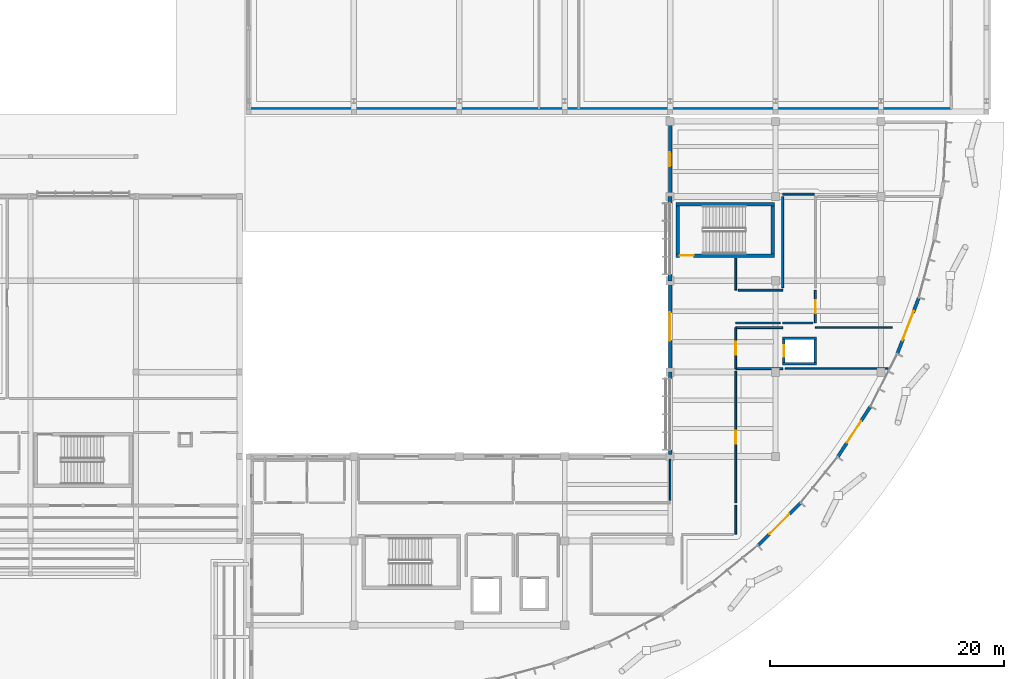
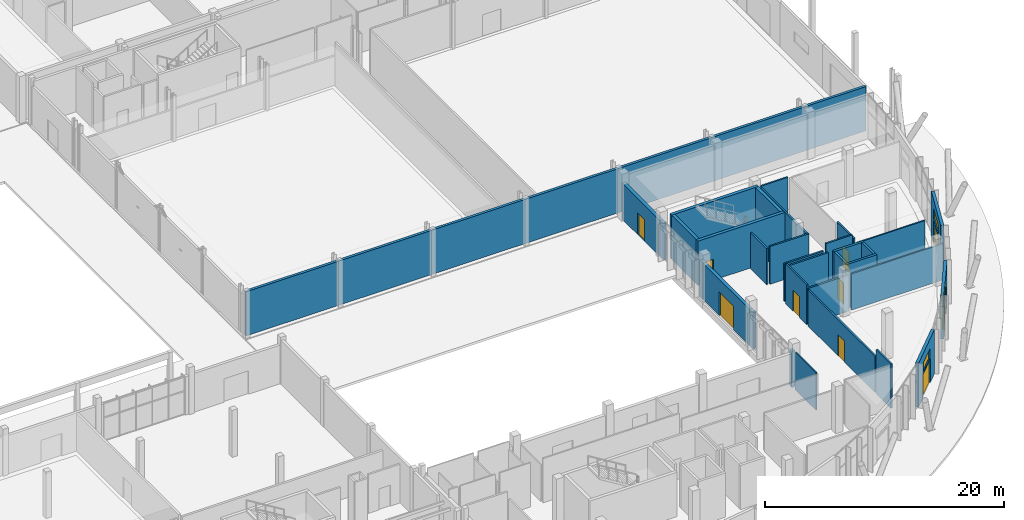
# One storey, part 127 of 151: 33 walls, 10 doors, 3 windows, 13 openings.
"""IFC4 building model written with IfcOpenShell, lengths in metres."""

from ifc_helpers import new_model, si_unit, direction, frame, frame_2d, origin, place, context, subcontext, project, spatial, rectangle, extrude, material, layer, layer_set, type_object, element, fill, save


model = new_model("IFC4")

# Units and contexts
model_context = context("Model", 3, precision=1e-05, world=origin(), true_north=direction((0.0, 1.0)))
body_context = subcontext(model_context, "Body", "Model", "MODEL_VIEW")
ifc_project = project(units=[si_unit("LENGTHUNIT", "METRE"), si_unit("AREAUNIT", "SQUARE_METRE"), si_unit("VOLUMEUNIT", "CUBIC_METRE"), si_unit("PLANEANGLEUNIT", "RADIAN"), si_unit("MASSUNIT", "GRAM", prefix="KILO")], contexts=[model_context])

# Site, building, storey
site_placement = place(None, origin())
site = spatial("IfcSite", under=ifc_project, at=site_placement, CompositionType="ELEMENT")
building_placement = place(site_placement, origin())
building = spatial("IfcBuilding", under=site, at=building_placement, Name="Chiffa Square Polytechnic", CompositionType="ELEMENT")
storey_placement = place(building_placement, origin())
storey = spatial("IfcBuildingStorey", under=building, at=storey_placement, Name="L00", CompositionType="ELEMENT", Elevation=0.0)

# Wall, opening, door
ifc_material_1 = material(Name="Concrete C40/50", Category="concrete")
ifc_layer_1 = layer(ifc_material_1, 0.300048828125, Name="Concrete C40/50")
ifc_layer_set_1 = layer_set([ifc_layer_1], Name="Concrete C40/50")
wall_type_1 = type_object("IfcWallType", Name="WL-CORE-300", PredefinedType="SHEAR", material=ifc_layer_set_1)
wall_1_placement = place(storey_placement, frame((148.699951171875, 45.949951171875, 0.0), z_axis=(0.0, 0.0, 1.0), x_axis=(1.0, 0.0, 0.0)))
wall_1 = element("IfcWall", 1, at=wall_1_placement, inside=storey, type_object=wall_type_1, Name="Core or enclosure wall WC-CORE-V1B-L00-SOUTH", PredefinedType="SHEAR", context=body_context, shape_type="SweptSolid", body=[
    extrude(rectangle(XDim=8.400146484375, YDim=0.300048828125, at=frame_2d((4.2001953125, 0.0))), origin(), (0.0, 0.0, 1.0), 4.52001953125),
])
opening_1_placement = place(wall_1_placement, frame((0.300048828125, 0.0, 0.0)))
opening_1 = element("IfcOpeningElement", 2, at=opening_1_placement, cuts=wall_1, Name="Opening DS-L00-010", PredefinedType="OPENING", context=body_context, shape_type="SweptSolid", body=[
    extrude(rectangle(XDim=1.199951171875, YDim=2.14990234375, at=frame_2d((0.60009765625, 1.074951171875))), frame((0.0, 0.16015625, 0.0), z_axis=(0.0, -1.0, 0.0), x_axis=(1.0, 0.0, 0.0)), (0.0, 0.0, 1.0), 0.320068359375),
])
ifc_material_2 = material(Name="Fire-rated painted steel leaf", Category="steel")
door_type_1 = type_object("IfcDoorType", Name="DR-STAIR-1200", OperationType="NOTDEFINED", PredefinedType="DOOR", material=ifc_material_2)
door_1_placement = place(opening_1_placement, origin())
door_1 = element("IfcDoor", 3, at=door_1_placement, inside=storey, type_object=door_type_1, Name="Enclosure door DS-L00-010", OperationType="SINGLE_SWING_RIGHT", OverallHeight=2.14990234375, OverallWidth=1.199951171875, PredefinedType="DOOR", context=body_context, shape_type="SweptSolid", body=[
    extrude(rectangle(XDim=1.199951171875, YDim=2.14990234375, at=frame_2d((0.60009765625, 1.074951171875))), frame((0.0, 0.02490234375, 0.0), z_axis=(0.0, -1.0, 0.0), x_axis=(1.0, 0.0, 0.0)), (0.0, 0.0, 1.0), 0.050048828125),
])
fill(opening_1, door_1)

# Walls
wall_2_placement = place(storey_placement, frame((148.699951171875, 50.35009765625, 0.0), z_axis=(0.0, 0.0, 1.0), x_axis=(1.0, 0.0, 0.0)))
element("IfcWall", 4, at=wall_2_placement, inside=storey, type_object=wall_type_1, Name="Core or enclosure wall WC-CORE-V1B-L00-NORTH", PredefinedType="SHEAR", context=body_context, shape_type="SweptSolid", body=[
    extrude(rectangle(XDim=8.400146484375, YDim=0.300048828125, at=frame_2d((4.2001953125, 0.0))), origin(), (0.0, 0.0, 1.0), 4.52001953125),
])
for number, where, z_axis, x_axis, name in (
    (5, (148.85009765625, 46.10009765625, 0.0), (0.0, 0.0, 1.0), (0.0, 1.0, 0.0), "Core or enclosure wall WC-CORE-V1B-L00-WEST"),
    (6, (156.949951171875, 46.10009765625, 0.0), (0.0, 0.0, 1.0), (0.0, 1.0, 0.0), "Core or enclosure wall WC-CORE-V1B-L00-EAST"),
):
    element("IfcWall", number, at=place(storey_placement, frame(where, z_axis=z_axis, x_axis=x_axis)), inside=storey, type_object=wall_type_1, Name=name, PredefinedType="SHEAR", context=body_context, shape_type="SweptSolid", body=[
        extrude(rectangle(XDim=4.099853515625, YDim=0.300048828125, at=frame_2d((2.0498046875, 0.0))), origin(), (0.0, 0.0, 1.0), 4.52001953125),
    ])

# Wall, openings, door, window
ifc_material_3 = material(Name="Precast concrete C40/50", Category="concrete")
ifc_layer_2 = layer(ifc_material_3, 0.280029296875, Name="Precast concrete C40/50")
ifc_layer_set_2 = layer_set([ifc_layer_2], Name="Precast concrete C40/50")
wall_type_2 = type_object("IfcWallType", Name="WL-EXT-PC280", PredefinedType="SOLIDWALL", material=ifc_layer_set_2)
wall_3_placement = place(storey_placement, frame((155.719970703125, 21.23291015625, 0.0), z_axis=(0.0, 0.0, 1.0), x_axis=(0.707082784214, 0.707130777344, 0.0)))
wall_3 = element("IfcWall", 7, at=wall_3_placement, inside=storey, type_object=wall_type_2, Name="Chiffa Square portico entrance wall WE-V1-L00-PORTAL-09", PredefinedType="SOLIDWALL", context=body_context, shape_type="SweptSolid", body=[
    extrude(rectangle(XDim=5.0869140625, YDim=0.280029296875, at=frame_2d((2.54345703125, 0.0))), origin(), (0.0, 0.0, 1.0), 4.52001953125),
])
opening_2_placement = place(wall_3_placement, frame((1.343017578125, 0.0, 0.0)))
opening_2 = element("IfcOpeningElement", 8, at=opening_2_placement, cuts=wall_3, Name="Opening DE-L00-005", PredefinedType="OPENING", context=body_context, shape_type="SweptSolid", body=[
    extrude(rectangle(XDim=2.39990234375, YDim=2.39990234375, at=frame_2d((1.199951171875, 1.199951171875))), frame((0.0, 0.14990234375, 0.0), z_axis=(0.0, -1.0, 0.0), x_axis=(1.0, 0.0, 0.0)), (0.0, 0.0, 1.0), 0.300048828125),
])
opening_3_placement = place(wall_3_placement, frame((1.492919921875, 0.0, 2.580078125)))
opening_3 = element("IfcOpeningElement", 9, at=opening_3_placement, cuts=wall_3, Name="Opening WCL-04", PredefinedType="OPENING", context=body_context, shape_type="SweptSolid", body=[
    extrude(rectangle(XDim=2.10009765625, YDim=0.949951171875, at=frame_2d((1.050048828125, 0.47509765625))), frame((0.0, 0.14990234375, 0.0), z_axis=(0.0, -1.0, 0.0), x_axis=(1.0, 0.0, 0.0)), (0.0, 0.0, 1.0), 0.300048828125),
])
ifc_material_4 = material(Name="Aluminium and laminated safety glass", Category="aluminium")
door_type_2 = type_object("IfcDoorType", Name="DR-EXIT-DBL-2400", OperationType="DOUBLE_DOOR_SINGLE_SWING", PredefinedType="DOOR", material=ifc_material_4)
door_2_placement = place(opening_2_placement, origin())
door_2 = element("IfcDoor", 10, at=door_2_placement, inside=storey, type_object=door_type_2, Name="Faculty prow portico entrance door DE-L00-005", OperationType="DOUBLE_DOOR_SINGLE_SWING", OverallHeight=2.39990234375, OverallWidth=2.39990234375, PredefinedType="DOOR", context=body_context, shape_type="SweptSolid", body=[
    extrude(rectangle(XDim=2.39990234375, YDim=2.39990234375, at=frame_2d((1.199951171875, 1.199951171875))), frame((0.0, 0.02490234375, 0.0), z_axis=(0.0, -1.0, 0.0), x_axis=(1.0, 0.0, 0.0)), (0.0, 0.0, 1.0), 0.050048828125),
])
fill(opening_2, door_2)
ifc_material_5 = material(Name="Double glazing in thermally broken aluminium frame", Category="aluminium")
window_type_1 = type_object("IfcWindowType", Name="WIN-CLR-2100X0950", PartitioningType="DOUBLE_PANEL_VERTICAL", PredefinedType="WINDOW", material=ifc_material_5)
window_1_placement = place(opening_3_placement, origin())
window_1 = element("IfcWindow", 11, at=window_1_placement, inside=storey, type_object=window_type_1, Name="Entrance transom clerestory WN-L00-0005", OverallHeight=0.949951171875, OverallWidth=2.10009765625, PartitioningType="DOUBLE_PANEL_VERTICAL", PredefinedType="WINDOW", context=body_context, shape_type="SweptSolid", body=[
    extrude(rectangle(XDim=2.10009765625, YDim=0.949951171875, at=frame_2d((1.050048828125, 0.47509765625))), frame((0.0, 0.030029296875, 0.0), z_axis=(0.0, -1.0, 0.0), x_axis=(1.0, 0.0, 0.0)), (0.0, 0.0, 1.0), 0.06005859375),
])
fill(opening_3, window_1)

wall_4_placement = place(storey_placement, frame((162.51806640625, 28.783935546875, 0.0), z_axis=(0.0, 0.0, 1.0), x_axis=(0.544715042653, 0.838621203111, 0.0)))
wall_4 = element("IfcWall", 12, at=wall_4_placement, inside=storey, type_object=wall_type_2, Name="Chiffa Square portico entrance wall WE-V1-L00-PORTAL-11", PredefinedType="SOLIDWALL", context=body_context, shape_type="SweptSolid", body=[
    extrude(rectangle(XDim=5.087158203125, YDim=0.280029296875, at=frame_2d((2.54345703125, 0.0))), origin(), (0.0, 0.0, 1.0), 4.52001953125),
])
opening_4_placement = place(wall_4_placement, frame((1.443115234375, 0.0, 0.0)))
opening_4 = element("IfcOpeningElement", 13, at=opening_4_placement, cuts=wall_4, Name="Opening DE-L00-006", PredefinedType="OPENING", context=body_context, shape_type="SweptSolid", body=[
    extrude(rectangle(XDim=2.199951171875, YDim=2.35009765625, at=frame_2d((1.10009765625, 1.175048828125))), frame((0.0, 0.14990234375, 0.0), z_axis=(0.0, -1.0, 0.0), x_axis=(1.0, 0.0, 0.0)), (0.0, 0.0, 1.0), 0.300048828125),
])
opening_5_placement = place(wall_4_placement, frame((1.79296875, 0.0, 2.530029296875)))
opening_5 = element("IfcOpeningElement", 14, at=opening_5_placement, cuts=wall_4, Name="Opening WCL-06", PredefinedType="OPENING", context=body_context, shape_type="SweptSolid", body=[
    extrude(rectangle(XDim=1.5, YDim=0.85009765625, at=frame_2d((0.75, 0.425048828125))), frame((0.0, 0.14990234375, 0.0), z_axis=(0.0, -1.0, 0.0), x_axis=(1.0, 0.0, 0.0)), (0.0, 0.0, 1.0), 0.300048828125),
])
door_type_3 = type_object("IfcDoorType", Name="DR-EXIT-DBL-2200", OperationType="DOUBLE_DOOR_SINGLE_SWING", PredefinedType="DOOR", material=ifc_material_4)
door_3_placement = place(opening_4_placement, origin())
door_3 = element("IfcDoor", 15, at=door_3_placement, inside=storey, type_object=door_type_3, Name="Faculty prow portico entrance door DE-L00-006", OperationType="DOUBLE_DOOR_SINGLE_SWING", OverallHeight=2.35009765625, OverallWidth=2.199951171875, PredefinedType="DOOR", context=body_context, shape_type="SweptSolid", body=[
    extrude(rectangle(XDim=2.199951171875, YDim=2.35009765625, at=frame_2d((1.10009765625, 1.175048828125))), frame((0.0, 0.02490234375, 0.0), z_axis=(0.0, -1.0, 0.0), x_axis=(1.0, 0.0, 0.0)), (0.0, 0.0, 1.0), 0.050048828125),
])
fill(opening_4, door_3)
window_type_2 = type_object("IfcWindowType", Name="WIN-CLR-1500X0850", PartitioningType="DOUBLE_PANEL_VERTICAL", PredefinedType="WINDOW", material=ifc_material_5)
window_2_placement = place(opening_5_placement, origin())
window_2 = element("IfcWindow", 16, at=window_2_placement, inside=storey, type_object=window_type_2, Name="Entrance transom clerestory WN-L00-0006", OverallHeight=0.85009765625, OverallWidth=1.5, PartitioningType="DOUBLE_PANEL_VERTICAL", PredefinedType="WINDOW", context=body_context, shape_type="SweptSolid", body=[
    extrude(rectangle(XDim=1.5, YDim=0.85009765625, at=frame_2d((0.75, 0.425048828125))), frame((0.0, 0.030029296875, 0.0), z_axis=(0.0, -1.0, 0.0), x_axis=(1.0, 0.0, 0.0)), (0.0, 0.0, 1.0), 0.06005859375),
])
fill(opening_5, window_2)

wall_5_placement = place(storey_placement, frame((167.597900390625, 37.5830078125, 0.0), z_axis=(0.0, 0.0, 1.0), x_axis=(0.358371161708, 0.933579193457, 0.0)))
wall_5 = element("IfcWall", 17, at=wall_5_placement, inside=storey, type_object=wall_type_2, Name="Chiffa Square portico entrance wall WE-V1-L00-PORTAL-13", PredefinedType="SOLIDWALL", context=body_context, shape_type="SweptSolid", body=[
    extrude(rectangle(XDim=5.0869140625, YDim=0.280029296875, at=frame_2d((2.54345703125, 0.0))), origin(), (0.0, 0.0, 1.0), 4.52001953125),
])
opening_6_placement = place(wall_5_placement, frame((1.343017578125, 0.0, 0.0)))
opening_6 = element("IfcOpeningElement", 18, at=opening_6_placement, cuts=wall_5, Name="Opening DE-L00-007", PredefinedType="OPENING", context=body_context, shape_type="SweptSolid", body=[
    extrude(rectangle(XDim=2.39990234375, YDim=2.39990234375, at=frame_2d((1.199951171875, 1.199951171875))), frame((0.0, 0.14990234375, 0.0), z_axis=(0.0, -1.0, 0.0), x_axis=(1.0, 0.0, 0.0)), (0.0, 0.0, 1.0), 0.300048828125),
])
opening_7_placement = place(wall_5_placement, frame((1.193115234375, 0.0, 2.580078125)))
opening_7 = element("IfcOpeningElement", 19, at=opening_7_placement, cuts=wall_5, Name="Opening WCL-02", PredefinedType="OPENING", context=body_context, shape_type="SweptSolid", body=[
    extrude(rectangle(XDim=2.699951171875, YDim=1.050048828125, at=frame_2d((1.35009765625, 0.52490234375))), frame((0.0, 0.14990234375, 0.0), z_axis=(0.0, -1.0, 0.0), x_axis=(1.0, 0.0, 0.0)), (0.0, 0.0, 1.0), 0.300048828125),
])
door_4_placement = place(opening_6_placement, origin())
door_4 = element("IfcDoor", 20, at=door_4_placement, inside=storey, type_object=door_type_2, Name="Faculty prow portico entrance door DE-L00-007", OperationType="DOUBLE_DOOR_SINGLE_SWING", OverallHeight=2.39990234375, OverallWidth=2.39990234375, PredefinedType="DOOR", context=body_context, shape_type="SweptSolid", body=[
    extrude(rectangle(XDim=2.39990234375, YDim=2.39990234375, at=frame_2d((1.199951171875, 1.199951171875))), frame((0.0, 0.02490234375, 0.0), z_axis=(0.0, -1.0, 0.0), x_axis=(1.0, 0.0, 0.0)), (0.0, 0.0, 1.0), 0.050048828125),
])
fill(opening_6, door_4)
window_type_3 = type_object("IfcWindowType", Name="WIN-CLR-2700X1050", PartitioningType="DOUBLE_PANEL_VERTICAL", PredefinedType="WINDOW", material=ifc_material_5)
window_3_placement = place(opening_7_placement, origin())
window_3 = element("IfcWindow", 21, at=window_3_placement, inside=storey, type_object=window_type_3, Name="Entrance transom clerestory WN-L00-0007", OverallHeight=1.050048828125, OverallWidth=2.699951171875, PartitioningType="DOUBLE_PANEL_VERTICAL", PredefinedType="WINDOW", context=body_context, shape_type="SweptSolid", body=[
    extrude(rectangle(XDim=2.699951171875, YDim=1.050048828125, at=frame_2d((1.35009765625, 0.52490234375))), frame((0.0, 0.030029296875, 0.0), z_axis=(0.0, -1.0, 0.0), x_axis=(1.0, 0.0, 0.0)), (0.0, 0.0, 1.0), 0.06005859375),
])
fill(opening_7, window_3)

# Wall, opening, door
ifc_layer_3 = layer(ifc_material_3, 0.300048828125, Name="Precast concrete C40/50")
ifc_layer_set_3 = layer_set([ifc_layer_3], Name="Precast concrete C40/50")
wall_type_3 = type_object("IfcWallType", Name="WL-EXT-PC300", PredefinedType="SOLIDWALL", material=ifc_layer_set_3)
wall_6_placement = place(storey_placement, frame((148.199951171875, 43.800048828125, 0.0), z_axis=(0.0, 0.0, 1.0), x_axis=(0.0, -1.0, 0.0)))
wall_6 = element("IfcWall", 22, at=wall_6_placement, inside=storey, type_object=wall_type_3, Name="Exterior wall WE-V1-L00-0012", PredefinedType="SOLIDWALL", context=body_context, shape_type="SweptSolid", body=[
    extrude(rectangle(XDim=7.800048828125, YDim=0.300048828125, at=frame_2d((3.89990234375, 0.0))), origin(), (0.0, 0.0, 1.0), 3.705078125),
])
opening_8_placement = place(wall_6_placement, frame((2.699951171875, 0.0, 0.0)))
opening_8 = element("IfcOpeningElement", 23, at=opening_8_placement, cuts=wall_6, Name="Opening DE-L00-010", PredefinedType="OPENING", context=body_context, shape_type="SweptSolid", body=[
    extrude(rectangle(XDim=2.39990234375, YDim=2.39990234375, at=frame_2d((1.199951171875, 1.199951171875))), frame((0.0, 0.16015625, 0.0), z_axis=(0.0, -1.0, 0.0), x_axis=(1.0, 0.0, 0.0)), (0.0, 0.0, 1.0), 0.320068359375),
])
door_5_placement = place(opening_8_placement, origin())
door_5 = element("IfcDoor", 24, at=door_5_placement, inside=storey, type_object=door_type_2, Name="Exterior door DE-L00-010", OperationType="DOUBLE_DOOR_SINGLE_SWING", OverallHeight=2.39990234375, OverallWidth=2.39990234375, PredefinedType="DOOR", context=body_context, shape_type="SweptSolid", body=[
    extrude(rectangle(XDim=2.39990234375, YDim=2.39990234375, at=frame_2d((1.199951171875, 1.199951171875))), frame((0.0, 0.02490234375, 0.0), z_axis=(0.0, -1.0, 0.0), x_axis=(1.0, 0.0, 0.0)), (0.0, 0.0, 1.0), 0.050048828125),
])
fill(opening_8, door_5)

ifc_layer_4 = layer(ifc_material_3, 0.320068359375, Name="Precast concrete C40/50")
ifc_layer_set_4 = layer_set([ifc_layer_4], Name="Precast concrete C40/50")
wall_type_4 = type_object("IfcWallType", Name="WL-EXT-PC320", PredefinedType="SOLIDWALL", material=ifc_layer_set_4)
wall_7_placement = place(storey_placement, frame((148.199951171875, 57.35009765625, 0.0), z_axis=(0.0, 0.0, 1.0), x_axis=(0.0, -1.0, 0.0)))
wall_7 = element("IfcWall", 25, at=wall_7_placement, inside=storey, type_object=wall_type_4, Name="Exterior wall WE-V1-L00-0010", PredefinedType="SOLIDWALL", context=body_context, shape_type="SweptSolid", body=[
    extrude(rectangle(XDim=6.35009765625, YDim=0.320068359375, at=frame_2d((3.175048828125, 0.0))), origin(), (0.0, 0.0, 1.0), 3.705078125),
])
opening_9_placement = place(wall_7_placement, frame((2.574951171875, 0.0, 0.0)))
opening_9 = element("IfcOpeningElement", 26, at=opening_9_placement, cuts=wall_7, Name="Opening DE-L00-009", PredefinedType="OPENING", context=body_context, shape_type="SweptSolid", body=[
    extrude(rectangle(XDim=1.199951171875, YDim=2.199951171875, at=frame_2d((0.60009765625, 1.10009765625))), frame((0.0, 0.169921875, 0.0), z_axis=(0.0, -1.0, 0.0), x_axis=(1.0, 0.0, 0.0)), (0.0, 0.0, 1.0), 0.340087890625),
])
ifc_material_6 = material(Name="Painted galvanized steel", Category="steel")
door_type_4 = type_object("IfcDoorType", Name="DR-EXT-SVC-1200", OperationType="NOTDEFINED", PredefinedType="DOOR", material=ifc_material_6)
door_6_placement = place(opening_9_placement, origin())
door_6 = element("IfcDoor", 27, at=door_6_placement, inside=storey, type_object=door_type_4, Name="Exterior door DE-L00-009", OperationType="SINGLE_SWING_LEFT", OverallHeight=2.199951171875, OverallWidth=1.199951171875, PredefinedType="DOOR", context=body_context, shape_type="SweptSolid", body=[
    extrude(rectangle(XDim=1.199951171875, YDim=2.199951171875, at=frame_2d((0.60009765625, 1.10009765625))), frame((0.0, 0.02490234375, 0.0), z_axis=(0.0, -1.0, 0.0), x_axis=(1.0, 0.0, 0.0)), (0.0, 0.0, 1.0), 0.050048828125),
])
fill(opening_9, door_6)

# Walls
wall_8_placement = place(storey_placement, frame((148.199951171875, 36.0, 0.0), z_axis=(0.0, 0.0, 1.0), x_axis=(0.0, -1.0, 0.0)))
element("IfcWall", 28, at=wall_8_placement, inside=storey, type_object=wall_type_4, Name="Facade column pier V1-L00-0013L", PredefinedType="SOLIDWALL", context=body_context, shape_type="SweptSolid", body=[
    extrude(rectangle(XDim=0.5400390625, YDim=0.320068359375, at=frame_2d((0.27001953125, 0.0))), origin(), (0.0, 0.0, 1.0), 3.705078125),
])
wall_9_placement = place(storey_placement, frame((148.199951171875, 29.340087890625, 0.0), z_axis=(0.0, 0.0, 1.0), x_axis=(0.0, -1.0, 0.0)))
element("IfcWall", 29, at=wall_9_placement, inside=storey, type_object=wall_type_4, Name="Facade column pier V1-L00-0013R", PredefinedType="SOLIDWALL", context=body_context, shape_type="SweptSolid", body=[
    extrude(rectangle(XDim=0.38818359375, YDim=0.320068359375, at=frame_2d((0.194091796875, 0.0))), origin(), (0.0, 0.0, 1.0), 3.705078125),
])
ifc_layer_5 = layer(ifc_material_3, 0.340087890625, Name="Precast concrete C40/50")
ifc_layer_set_5 = layer_set([ifc_layer_5], Name="Precast concrete C40/50")
wall_type_5 = type_object("IfcWallType", Name="WL-EXT-PC340", PredefinedType="SOLIDWALL", material=ifc_layer_set_5)
for number, where, z_axis, x_axis, name in (
    (30, (148.199951171875, 51.0, 0.0), (0.0, 0.0, 1.0), (0.0, -1.0, 0.0), "Facade column pier V1-L00-0011L"),
    (31, (148.199951171875, 44.340087890625, 0.0), (0.0, 0.0, 1.0), (0.0, -1.0, 0.0), "Facade column pier V1-L00-0011R"),
):
    element("IfcWall", number, at=place(storey_placement, frame(where, z_axis=z_axis, x_axis=x_axis)), inside=storey, type_object=wall_type_5, Name=name, PredefinedType="SOLIDWALL", context=body_context, shape_type="SweptSolid", body=[
        extrude(rectangle(XDim=0.5400390625, YDim=0.340087890625, at=frame_2d((0.27001953125, 0.0))), origin(), (0.0, 0.0, 1.0), 3.705078125),
    ])
ifc_material_7 = material(Name="Gypsum board on steel stud", Category="steel")
ifc_layer_6 = layer(ifc_material_7, 0.125, Name="Gypsum board on steel stud")
ifc_layer_set_6 = layer_set([ifc_layer_6], Name="Gypsum board on steel stud")
wall_type_6 = type_object("IfcWallType", Name="WL-PART-125", PredefinedType="PARTITIONING", material=ifc_layer_set_6)
wall_10_placement = place(storey_placement, frame((148.199951171875, 25.070068359375, 0.0), z_axis=(0.0, 0.0, 1.0), x_axis=(0.0, 1.0, 0.0)))
element("IfcWall", 32, at=wall_10_placement, inside=storey, type_object=wall_type_6, Name="Interior partition WP-V1-L00-0122", PredefinedType="PARTITIONING", context=body_context, shape_type="SweptSolid", body=[
    extrude(rectangle(XDim=3.489990234375, YDim=0.125, at=frame_2d((1.7451171875, 0.0))), origin(), (0.0, 0.0, 1.0), 3.85498046875),
])
ifc_layer_7 = layer(ifc_material_7, 0.135009765625, Name="Gypsum board on steel stud")
ifc_layer_set_7 = layer_set([ifc_layer_7], Name="Gypsum board on steel stud")
wall_type_7 = type_object("IfcWallType", Name="WL-PART-135", PredefinedType="PARTITIONING", material=ifc_layer_set_7)
wall_11_placement = place(storey_placement, frame((160.60009765625, 39.800048828125, 0.0), z_axis=(0.0, 0.0, 1.0), x_axis=(1.0, 0.0, 0.0)))
element("IfcWall", 33, at=wall_11_placement, inside=storey, type_object=wall_type_7, Name="Interior partition WP-V1-L00-0139", PredefinedType="PARTITIONING", context=body_context, shape_type="SweptSolid", body=[
    extrude(rectangle(XDim=6.56982421875, YDim=0.135009765625, at=frame_2d((3.284912109375, 0.0))), origin(), (0.0, 0.0, 1.0), 3.85498046875),
])
wall_12_placement = place(storey_placement, frame((158.0400390625, 36.300048828125, 0.0), z_axis=(0.0, 0.0, 1.0), x_axis=(1.0, 0.0, 0.0)))
element("IfcWall", 34, at=wall_12_placement, inside=storey, type_object=wall_type_7, Name="Interior partition WP-V1-L00-0148", PredefinedType="PARTITIONING", context=body_context, shape_type="SweptSolid", body=[
    extrude(rectangle(XDim=8.890869140625, YDim=0.135009765625, at=frame_2d((4.4453125, 0.0))), origin(), (0.0, 0.0, 1.0), 3.705078125),
])
ifc_material_8 = material(Name="Gypsum board on acoustic steel stud", Category="steel")
ifc_layer_8 = layer(ifc_material_8, 0.159912109375, Name="Gypsum board on acoustic steel stud")
ifc_layer_set_8 = layer_set([ifc_layer_8], Name="Gypsum board on acoustic steel stud")
wall_type_8 = type_object("IfcWallType", Name="WL-PART-EI60-160", PredefinedType="PARTITIONING", material=ifc_layer_set_8)
wall_13_placement = place(storey_placement, frame((153.800048828125, 36.300048828125, 0.0), z_axis=(0.0, 0.0, 1.0), x_axis=(1.0, 0.0, 0.0)))
element("IfcWall", 35, at=wall_13_placement, inside=storey, type_object=wall_type_8, Name="Lift lobby rated enclosure WP-LOB-LP-V1B-L00-SOUTH", PredefinedType="PARTITIONING", context=body_context, shape_type="SweptSolid", body=[
    extrude(rectangle(XDim=4.0, YDim=0.159912109375, at=frame_2d((2.0, 0.0))), origin(), (0.0, 0.0, 1.0), 3.705078125),
])
wall_14_placement = place(storey_placement, frame((153.800048828125, 39.800048828125, 0.0), z_axis=(0.0, 0.0, 1.0), x_axis=(1.0, 0.0, 0.0)))
element("IfcWall", 36, at=wall_14_placement, inside=storey, type_object=wall_type_8, Name="Lift lobby rated enclosure WP-LOB-LP-V1B-L00-NORTH", PredefinedType="PARTITIONING", context=body_context, shape_type="SweptSolid", body=[
    extrude(rectangle(XDim=4.0, YDim=0.159912109375, at=frame_2d((2.0, 0.0))), origin(), (0.0, 0.0, 1.0), 3.85498046875),
])

# Wall, opening, door
wall_15_placement = place(storey_placement, frame((153.800048828125, 36.300048828125, 0.0), z_axis=(0.0, 0.0, 1.0), x_axis=(0.0, 1.0, 0.0)))
wall_15 = element("IfcWall", 37, at=wall_15_placement, inside=storey, type_object=wall_type_8, Name="Lift lobby rated enclosure WP-LOB-LP-V1B-L00-WEST", PredefinedType="PARTITIONING", context=body_context, shape_type="SweptSolid", body=[
    extrude(rectangle(XDim=3.5, YDim=0.159912109375, at=frame_2d((1.75, 0.0))), origin(), (0.0, 0.0, 1.0), 4.06494140625),
])
opening_10_placement = place(wall_15_placement, frame((1.199951171875, 0.0, 0.0)))
opening_10 = element("IfcOpeningElement", 38, at=opening_10_placement, cuts=wall_15, Name="Opening DI-L00-018", PredefinedType="OPENING", context=body_context, shape_type="SweptSolid", body=[
    extrude(rectangle(XDim=1.10009765625, YDim=2.14990234375, at=frame_2d((0.550048828125, 1.074951171875))), frame((0.0, 0.08984375, 0.0), z_axis=(0.0, -1.0, 0.0), x_axis=(1.0, 0.0, 0.0)), (0.0, 0.0, 1.0), 0.179931640625),
])
ifc_material_9 = material(Name="Solid core ash veneer door")
door_type_5 = type_object("IfcDoorType", Name="DR-INT-1100", OperationType="NOTDEFINED", PredefinedType="DOOR", material=ifc_material_9)
door_7_placement = place(opening_10_placement, origin())
door_7 = element("IfcDoor", 39, at=door_7_placement, inside=storey, type_object=door_type_5, Name="Lift lobby fire door DI-L00-018", OperationType="SINGLE_SWING_LEFT", OverallHeight=2.14990234375, OverallWidth=1.10009765625, PredefinedType="DOOR", context=body_context, shape_type="SweptSolid", body=[
    extrude(rectangle(XDim=1.10009765625, YDim=2.14990234375, at=frame_2d((0.550048828125, 1.074951171875))), frame((0.0, 0.02490234375, 0.0), z_axis=(0.0, -1.0, 0.0), x_axis=(1.0, 0.0, 0.0)), (0.0, 0.0, 1.0), 0.050048828125),
])
fill(opening_10, door_7)

wall_16_placement = place(storey_placement, frame((160.60009765625, 40.199951171875, 0.0), z_axis=(0.0, 0.0, 1.0), x_axis=(0.0, 1.0, 0.0)))
wall_16 = element("IfcWall", 40, at=wall_16_placement, inside=storey, type_object=wall_type_8, Name="Interior partition WP-V1-L00-0136", PredefinedType="PARTITIONING", context=body_context, shape_type="SweptSolid", body=[
    extrude(rectangle(XDim=2.800048828125, YDim=0.159912109375, at=frame_2d((1.39990234375, 0.0))), origin(), (0.0, 0.0, 1.0), 4.06494140625),
])
opening_11_placement = place(wall_16_placement, frame((0.85009765625, 0.0, 0.0)))
opening_11 = element("IfcOpeningElement", 41, at=opening_11_placement, cuts=wall_16, Name="Opening DI-L00-088", PredefinedType="OPENING", context=body_context, shape_type="SweptSolid", body=[
    extrude(rectangle(XDim=1.10009765625, YDim=2.14990234375, at=frame_2d((0.550048828125, 1.074951171875))), frame((0.0, 0.08984375, 0.0), z_axis=(0.0, -1.0, 0.0), x_axis=(1.0, 0.0, 0.0)), (0.0, 0.0, 1.0), 0.179931640625),
])
door_8_placement = place(opening_11_placement, origin())
door_8 = element("IfcDoor", 42, at=door_8_placement, inside=storey, type_object=door_type_5, Name="Interior room door DI-L00-088", OperationType="SINGLE_SWING_LEFT", OverallHeight=2.14990234375, OverallWidth=1.10009765625, PredefinedType="DOOR", context=body_context, shape_type="SweptSolid", body=[
    extrude(rectangle(XDim=1.10009765625, YDim=2.14990234375, at=frame_2d((0.550048828125, 1.074951171875))), frame((0.0, 0.02490234375, 0.0), z_axis=(0.0, -1.0, 0.0), x_axis=(1.0, 0.0, 0.0)), (0.0, 0.0, 1.0), 0.050048828125),
])
fill(opening_11, door_8)

wall_17_placement = place(storey_placement, frame((153.800048828125, 24.85009765625, 0.0), z_axis=(0.0, 0.0, 1.0), x_axis=(0.0, 1.0, 0.0)))
wall_17 = element("IfcWall", 43, at=wall_17_placement, inside=storey, type_object=wall_type_8, Name="Interior partition WP-V1-L00-0145", PredefinedType="PARTITIONING", context=body_context, shape_type="SweptSolid", body=[
    extrude(rectangle(XDim=11.2099609375, YDim=0.159912109375, at=frame_2d((5.60498046875, 0.0))), origin(), (0.0, 0.0, 1.0), 3.705078125),
])
opening_12_placement = place(wall_17_placement, frame((5.054931640625, 0.0, 0.0)))
opening_12 = element("IfcOpeningElement", 44, at=opening_12_placement, cuts=wall_17, Name="Opening DI-L00-093", PredefinedType="OPENING", context=body_context, shape_type="SweptSolid", body=[
    extrude(rectangle(XDim=1.10009765625, YDim=2.14990234375, at=frame_2d((0.550048828125, 1.074951171875))), frame((0.0, 0.08984375, 0.0), z_axis=(0.0, -1.0, 0.0), x_axis=(1.0, 0.0, 0.0)), (0.0, 0.0, 1.0), 0.179931640625),
])
door_9_placement = place(opening_12_placement, origin())
door_9 = element("IfcDoor", 45, at=door_9_placement, inside=storey, type_object=door_type_5, Name="Interior room door DI-L00-093", OperationType="SINGLE_SWING_RIGHT", OverallHeight=2.14990234375, OverallWidth=1.10009765625, PredefinedType="DOOR", context=body_context, shape_type="SweptSolid", body=[
    extrude(rectangle(XDim=1.10009765625, YDim=2.14990234375, at=frame_2d((0.550048828125, 1.074951171875))), frame((0.0, 0.02490234375, 0.0), z_axis=(0.0, -1.0, 0.0), x_axis=(1.0, 0.0, 0.0)), (0.0, 0.0, 1.0), 0.050048828125),
])
fill(opening_12, door_9)

# Walls
wall_18_placement = place(storey_placement, frame((153.800048828125, 22.14990234375, 0.0), z_axis=(0.0, 0.0, 1.0), x_axis=(0.0, 1.0, 0.0)))
element("IfcWall", 46, at=wall_18_placement, inside=storey, type_object=wall_type_8, Name="Interior partition WP-V1-L00-0146", PredefinedType="PARTITIONING", context=body_context, shape_type="SweptSolid", body=[
    extrude(rectangle(XDim=2.47998046875, YDim=0.159912109375, at=frame_2d((1.239990234375, 0.0))), origin(), (0.0, 0.0, 1.0), 4.52001953125),
])
wall_19_placement = place(storey_placement, frame((157.800048828125, 51.199951171875, 0.0), z_axis=(0.0, 0.0, 1.0), x_axis=(1.0, 0.0, 0.0)))
element("IfcWall", 47, at=wall_19_placement, inside=storey, type_object=wall_type_8, Name="Interior partition WP-V1-L00-0150", PredefinedType="PARTITIONING", context=body_context, shape_type="SweptSolid", body=[
    extrude(rectangle(XDim=2.708984375, YDim=0.159912109375, at=frame_2d((1.3544921875, 0.0))), origin(), (0.0, 0.0, 1.0), 3.705078125),
])
wall_20_placement = place(storey_placement, frame((153.800048828125, 43.0, 0.0), z_axis=(0.0, 0.0, 1.0), x_axis=(0.0, 1.0, 0.0)))
element("IfcWall", 48, at=wall_20_placement, inside=storey, type_object=wall_type_8, Name="Interior partition WP-V1-L00-0196", PredefinedType="PARTITIONING", context=body_context, shape_type="SweptSolid", body=[
    extrude(rectangle(XDim=2.7099609375, YDim=0.159912109375, at=frame_2d((1.35498046875, 0.0))), origin(), (0.0, 0.0, 1.0), 3.705078125),
])
wall_21_placement = place(storey_placement, frame((154.02001953125, 43.0, 0.0), z_axis=(0.0, 0.0, 1.0), x_axis=(1.0, 0.0, 0.0)))
element("IfcWall", 49, at=wall_21_placement, inside=storey, type_object=wall_type_8, Name="Interior partition WP-V1-L00-0197", PredefinedType="PARTITIONING", context=body_context, shape_type="SweptSolid", body=[
    extrude(rectangle(XDim=3.780029296875, YDim=0.159912109375, at=frame_2d((1.89013671875, 0.0))), origin(), (0.0, 0.0, 1.0), 3.85498046875),
])
wall_22_placement = place(storey_placement, frame((157.800048828125, 43.219970703125, 0.0), z_axis=(0.0, 0.0, 1.0), x_axis=(0.0, 1.0, 0.0)))
element("IfcWall", 50, at=wall_22_placement, inside=storey, type_object=wall_type_8, Name="Interior partition WP-V1-L00-0198", PredefinedType="PARTITIONING", context=body_context, shape_type="SweptSolid", body=[
    extrude(rectangle(XDim=7.760009765625, YDim=0.159912109375, at=frame_2d((3.8798828125, 0.0))), origin(), (0.0, 0.0, 1.0), 3.705078125),
])
wall_23_placement = place(storey_placement, frame((157.800048828125, 40.199951171875, 0.0), z_axis=(0.0, 0.0, 1.0), x_axis=(1.0, 0.0, 0.0)))
element("IfcWall", 51, at=wall_23_placement, inside=storey, type_object=wall_type_8, Name="Interior partition WP-V1-L00-0199", PredefinedType="PARTITIONING", context=body_context, shape_type="SweptSolid", body=[
    extrude(rectangle(XDim=2.579833984375, YDim=0.159912109375, at=frame_2d((1.2900390625, 0.0))), origin(), (0.0, 0.0, 1.0), 4.52001953125),
])
wall_24_placement = place(storey_placement, frame((153.800048828125, 40.199951171875, 0.0), z_axis=(0.0, 0.0, 1.0), x_axis=(1.0, 0.0, 0.0)))
element("IfcWall", 52, at=wall_24_placement, inside=storey, type_object=wall_type_8, Name="Interior partition WP-V1-L00-0200", PredefinedType="PARTITIONING", context=body_context, shape_type="SweptSolid", body=[
    extrude(rectangle(XDim=3.780029296875, YDim=0.159912109375, at=frame_2d((1.89013671875, 0.0))), origin(), (0.0, 0.0, 1.0), 3.85498046875),
])
ifc_material_10 = material(Name="Concrete C35/45", Category="concrete")
ifc_layer_9 = layer(ifc_material_10, 0.219970703125, Name="Concrete C35/45")
ifc_layer_set_9 = layer_set([ifc_layer_9], Name="Concrete C35/45")
wall_type_9 = type_object("IfcWallType", Name="WL-SHAFT-220", PredefinedType="SHEAR", material=ifc_layer_set_9)
for number, where, z_axis, x_axis, name in (
    (53, (157.800048828125, 36.7099609375, 0.0), (0.0, 0.0, 1.0), (1.0, 0.0, 0.0), "Core or enclosure wall WS-LP-V1B-L00-SOUTH"),
    (54, (157.800048828125, 38.889892578125, 0.0), (0.0, 0.0, 1.0), (1.0, 0.0, 0.0), "Core or enclosure wall WS-LP-V1B-L00-NORTH"),
):
    element("IfcWall", number, at=place(storey_placement, frame(where, z_axis=z_axis, x_axis=x_axis)), inside=storey, type_object=wall_type_9, Name=name, PredefinedType="SHEAR", context=body_context, shape_type="SweptSolid", body=[
        extrude(rectangle(XDim=2.89990234375, YDim=0.219970703125, at=frame_2d((1.449951171875, 0.0))), origin(), (0.0, 0.0, 1.0), 4.52001953125),
    ])

# Wall, opening, door
wall_25_placement = place(storey_placement, frame((157.909912109375, 36.820068359375, 0.0), z_axis=(0.0, 0.0, 1.0), x_axis=(0.0, 1.0, 0.0)))
wall_25 = element("IfcWall", 55, at=wall_25_placement, inside=storey, type_object=wall_type_9, Name="Core or enclosure wall WS-LP-V1B-L00-WEST", PredefinedType="SHEAR", context=body_context, shape_type="SweptSolid", body=[
    extrude(rectangle(XDim=1.9599609375, YDim=0.219970703125, at=frame_2d((0.97998046875, 0.0))), origin(), (0.0, 0.0, 1.0), 4.52001953125),
])
opening_13_placement = place(wall_25_placement, frame((0.47998046875, 0.0, 0.0)))
opening_13 = element("IfcOpeningElement", 56, at=opening_13_placement, cuts=wall_25, Name="Opening LD-LP-V1B-L00", PredefinedType="OPENING", context=body_context, shape_type="SweptSolid", body=[
    extrude(rectangle(XDim=1.0, YDim=2.14990234375, at=frame_2d((0.5, 1.074951171875))), frame((0.0, 0.1201171875, 0.0), z_axis=(0.0, -1.0, 0.0), x_axis=(1.0, 0.0, 0.0)), (0.0, 0.0, 1.0), 0.239990234375),
])
ifc_material_11 = material(Name="Brushed stainless steel sliding landing door", Category="steel")
door_type_6 = type_object("IfcDoorType", Name="DR-LIFT-1000", OperationType="SLIDING_TO_RIGHT", PredefinedType="DOOR", material=ifc_material_11)
door_10_placement = place(opening_13_placement, origin())
door_10 = element("IfcDoor", 57, at=door_10_placement, inside=storey, type_object=door_type_6, Name="Enclosure door LD-LP-V1B-L00", OperationType="SLIDING_TO_LEFT", OverallHeight=2.14990234375, OverallWidth=1.0, PredefinedType="DOOR", context=body_context, shape_type="SweptSolid", body=[
    extrude(rectangle(XDim=1.0, YDim=2.14990234375, at=frame_2d((0.5, 1.074951171875))), frame((0.0, 0.02490234375, 0.0), z_axis=(0.0, -1.0, 0.0), x_axis=(1.0, 0.0, 0.0)), (0.0, 0.0, 1.0), 0.050048828125),
])
fill(opening_13, door_10)

# Walls
wall_26_placement = place(storey_placement, frame((160.590087890625, 36.820068359375, 0.0), z_axis=(0.0, 0.0, 1.0), x_axis=(0.0, 1.0, 0.0)))
element("IfcWall", 58, at=wall_26_placement, inside=storey, type_object=wall_type_9, Name="Core or enclosure wall WS-LP-V1B-L00-EAST", PredefinedType="SHEAR", context=body_context, shape_type="SweptSolid", body=[
    extrude(rectangle(XDim=1.9599609375, YDim=0.219970703125, at=frame_2d((0.97998046875, 0.0))), origin(), (0.0, 0.0, 1.0), 4.52001953125),
])
ifc_layer_10 = layer(ifc_material_10, 0.25, Name="Concrete C35/45")
ifc_layer_set_10 = layer_set([ifc_layer_10], Name="Concrete C35/45")
wall_type_10 = type_object("IfcWallType", Name="WL-SJ-250", PredefinedType="SHEAR", material=ifc_layer_set_10)
wall_27_placement = place(storey_placement, frame((112.199951171875, 58.449951171875, 0.0), z_axis=(0.0, 0.0, 1.0), x_axis=(1.0, 0.0, 0.0)))
element("IfcWall", 59, at=wall_27_placement, inside=storey, type_object=wall_type_10, Name="Seismic-joint fire wall WE-V2-L00-0102", PredefinedType="SHEAR", context=body_context, shape_type="SweptSolid", body=[
    extrude(rectangle(XDim=60.0, YDim=0.25, at=frame_2d((30.0, 0.0))), origin(), (0.0, 0.0, 1.0), 4.52001953125),
])

save(model, "model.ifc")
